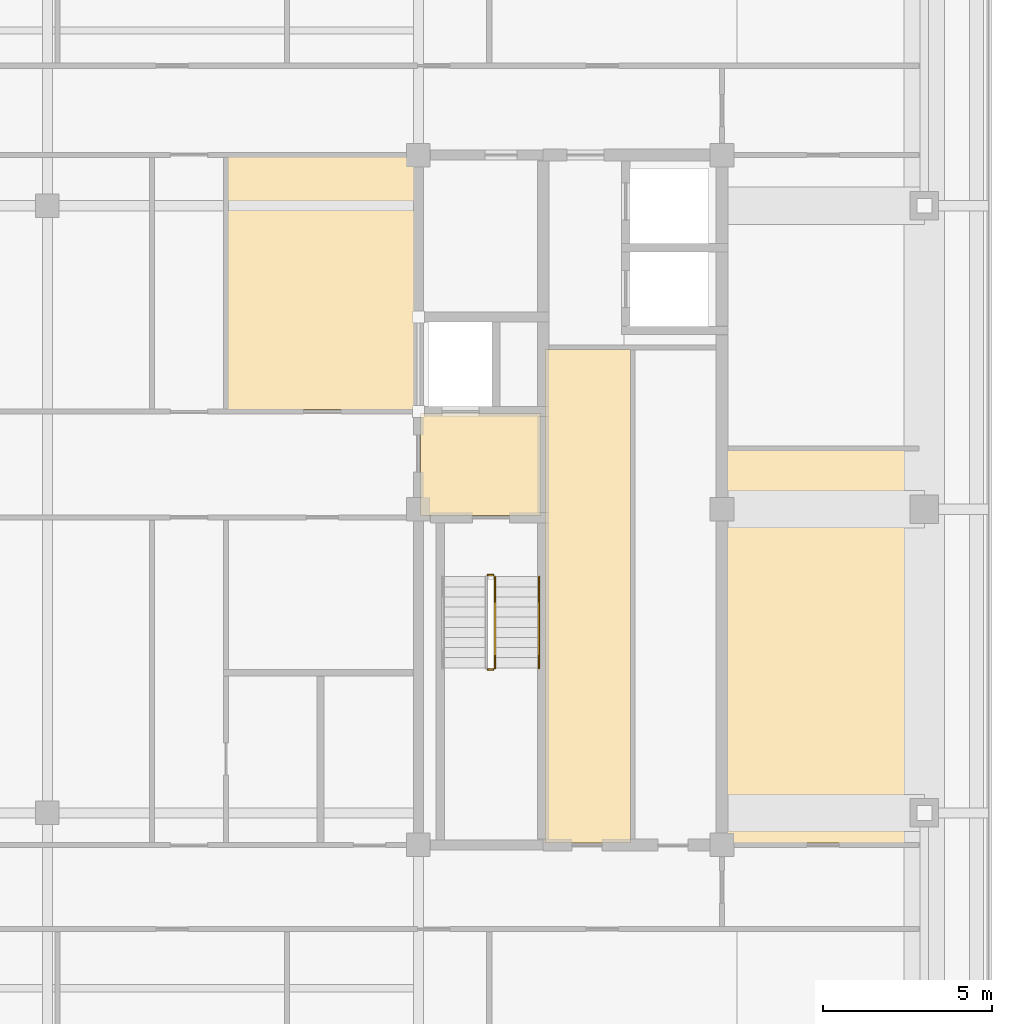
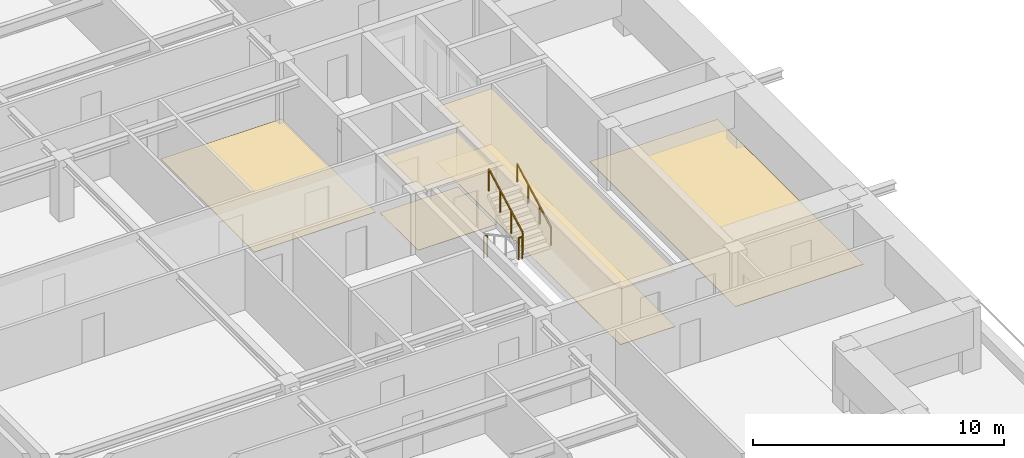
# One storey, part 13 of 14: 6 coverings, 4 railings.
"""IFC4 building model written with IfcOpenShell, lengths in metres."""

from ifc_helpers import new_model, si_unit, direction, frame, origin, origin_2d, place, context, subcontext, project, spatial, polyline, rectangle, outline, extrude, material, layer, layer_set, type_object, element, save


model = new_model("IFC4")

# Units and contexts
model_context = context("Model", 3, precision=1e-05, world=origin(), true_north=direction((0.0, 1.0)))
body_context = subcontext(model_context, "Body", "Model", "MODEL_VIEW")
ifc_project = project(units=[si_unit("LENGTHUNIT", "METRE"), si_unit("AREAUNIT", "SQUARE_METRE"), si_unit("VOLUMEUNIT", "CUBIC_METRE"), si_unit("PLANEANGLEUNIT", "RADIAN"), si_unit("MASSUNIT", "GRAM", prefix="KILO")], contexts=[model_context])

# Site, building, storey
site_placement = place(None, origin())
site = spatial("IfcSite", under=ifc_project, at=site_placement, CompositionType="ELEMENT")
building_placement = place(site_placement, origin())
building = spatial("IfcBuilding", under=site, at=building_placement, Name="Zulmaris Gate Convention Tower", CompositionType="ELEMENT")
storey_placement = place(building_placement, frame((0.0, 0.0, 226.820068359375)))
storey = spatial("IfcBuildingStorey", under=building, at=storey_placement, Name="L59", CompositionType="ELEMENT", Elevation=226.820068359375)

# Coverings
ifc_material_1 = material(Name="Mineral Fibre Acoustic Ceiling Tile")
ifc_layer_1 = layer(ifc_material_1, 0.02001953125, Name="Mineral Fibre Acoustic Ceiling Tile")
ifc_layer_set_1 = layer_set([ifc_layer_1], Name="Mineral Fibre Acoustic Ceiling Tile")
covering_type_1 = type_object("IfcCoveringType", Name="CLG-ACOUSTIC-600", PredefinedType="CEILING", material=ifc_layer_set_1)
covering_1_placement = place(storey_placement, frame((0.0, 0.0, 2.699951171875)))
element("IfcCovering", 1, at=covering_1_placement, inside=storey, type_object=covering_type_1, Name="CLG-L59-R08", PredefinedType="CEILING", context=body_context, shape_type="SweptSolid", body=[
    extrude(outline(polyline([(11.06005859375, -0.18994140625), (14.639892578125, -0.18994140625), (14.639892578125, 2.840087890625), (11.06005859375, 2.840087890625), (11.06005859375, -0.18994140625)])), origin(), (0.0, 0.0, 1.0), 0.02001953125),
])
covering_2_placement = place(storey_placement, frame((0.0, 0.0, 2.699951171875)))
element("IfcCovering", 2, at=covering_2_placement, inside=storey, type_object=covering_type_1, Name="CLG-L59-R24", PredefinedType="CEILING", context=body_context, shape_type="SweptSolid", body=[
    extrude(outline(polyline([(14.760009765625, -9.889892578125), (17.2900390625, -9.889892578125), (17.2900390625, 4.739990234375), (14.760009765625, 4.739990234375), (14.760009765625, -9.889892578125)])), origin(), (0.0, 0.0, 1.0), 0.02001953125),
])
ifc_material_2 = material(Name="Woven Acoustic Wool Carpet Tile")
ifc_layer_2 = layer(ifc_material_2, 0.02001953125, Name="Woven Acoustic Wool Carpet Tile")
ifc_layer_set_2 = layer_set([ifc_layer_2], Name="Woven Acoustic Wool Carpet Tile")
covering_type_2 = type_object("IfcCoveringType", Name="FLR-CARPET-12", PredefinedType="FLOORING", material=ifc_layer_set_2)
covering_3_placement = place(storey_placement, origin())
element("IfcCovering", 3, at=covering_3_placement, inside=storey, type_object=covering_type_2, Name="FLR-L59-R08", PredefinedType="FLOORING", context=body_context, shape_type="SweptSolid", body=[
    extrude(outline(polyline([(11.06005859375, -0.18994140625), (14.639892578125, -0.18994140625), (14.639892578125, 2.840087890625), (11.06005859375, 2.840087890625), (11.06005859375, -0.18994140625)])), origin(), (0.0, 0.0, 1.0), 0.02001953125),
])
covering_4_placement = place(storey_placement, origin())
element("IfcCovering", 4, at=covering_4_placement, inside=storey, type_object=covering_type_2, Name="FLR-L59-R24", PredefinedType="FLOORING", context=body_context, shape_type="SweptSolid", body=[
    extrude(outline(polyline([(14.760009765625, -9.889892578125), (17.2900390625, -9.889892578125), (17.2900390625, 4.739990234375), (14.760009765625, 4.739990234375), (14.760009765625, -9.889892578125)])), origin(), (0.0, 0.0, 1.0), 0.02001953125),
])
covering_5_placement = place(storey_placement, origin())
element("IfcCovering", 5, at=covering_5_placement, inside=storey, type_object=covering_type_2, Name="FLR-L59-R45", PredefinedType="FLOORING", context=body_context, shape_type="SweptSolid", body=[
    extrude(outline(polyline([(5.360107421875, 2.9599609375), (10.93994140625, 2.9599609375), (10.93994140625, 10.43994140625), (5.360107421875, 10.43994140625), (5.360107421875, 2.9599609375)])), origin(), (0.0, 0.0, 1.0), 0.02001953125),
])
covering_6_placement = place(storey_placement, origin())
element("IfcCovering", 6, at=covering_6_placement, inside=storey, type_object=covering_type_2, Name="FLR-L59-R53", PredefinedType="FLOORING", context=body_context, shape_type="SweptSolid", body=[
    extrude(outline(polyline([(20.06005859375, -9.889892578125), (25.93994140625, -9.889892578125), (25.93994140625, 1.739990234375), (20.06005859375, 1.739990234375), (20.06005859375, -9.889892578125)])), origin(), (0.0, 0.0, 1.0), 0.02001953125),
])

# Railings
ifc_material_3 = material(Name="Painted Galvanised Steel", Category="steel")
railing_type_1 = type_object("IfcRailingType", Name="RL-STG-1150", PredefinedType="GUARDRAIL", material=ifc_material_3)
railing_1_placement = place(storey_placement, frame((13.06005859375, -4.75, 1.614990234375)))
element("IfcRailing", 7, at=railing_1_placement, inside=storey, type_object=railing_type_1, Name="L59 ST-2 stair guard 2", PredefinedType="GUARDRAIL", context=body_context, shape_type="SweptSolid", body=[
    extrude(rectangle(XDim=0.048095703125, YDim=0.048095703125, at=origin_2d()), frame((0.0, 0.0, 1.076171875), z_axis=(1.0, 0.0, 0.0), x_axis=(0.0, 1.0, 0.0)), (0.0, 0.0, 1.0), 0.159912109375),
    extrude(rectangle(XDim=0.0419921875, YDim=0.0419921875, at=origin_2d()), origin(), (0.0, 0.0, 1.0), 1.052001953125),
    extrude(rectangle(XDim=0.0419921875, YDim=0.0419921875, at=origin_2d()), frame((0.159912109375, 0.0, 0.0)), (0.0, 0.0, 1.0), 1.052001953125),
])
railing_2_placement = place(storey_placement, frame((13.27001953125, -4.699951171875, 1.7763671875)))
element("IfcRailing", 8, at=railing_2_placement, inside=storey, type_object=railing_type_1, Name="L59 ST-2 stair guard 3", PredefinedType="GUARDRAIL", context=body_context, shape_type="SweptSolid", body=[
    extrude(rectangle(XDim=0.048095703125, YDim=0.048095703125, at=origin_2d()), frame((0.0, 0.0, 1.076171875), z_axis=(0.0, 0.880499220447, 0.474047595492), x_axis=(-1.0, 0.0, 0.0)), (0.0, 0.0, 1.0), 3.06640625),
    extrude(rectangle(XDim=0.0419921875, YDim=0.0419921875, at=origin_2d()), origin(), (0.0, 0.0, 1.0), 1.052001953125),
    extrude(rectangle(XDim=0.0419921875, YDim=0.0419921875, at=origin_2d()), frame((0.0, 0.89990234375, 0.484619140625)), (0.0, 0.0, 1.0), 1.052001953125),
    extrude(rectangle(XDim=0.0419921875, YDim=0.0419921875, at=origin_2d()), frame((0.0, 1.800048828125, 0.968994140625)), (0.0, 0.0, 1.0), 1.052001953125),
    extrude(rectangle(XDim=0.0419921875, YDim=0.0419921875, at=origin_2d()), frame((0.0, 2.699951171875, 1.45361328125)), (0.0, 0.0, 1.0), 1.052001953125),
])
railing_3_placement = place(storey_placement, frame((13.06005859375, -1.949951171875, 0.0)))
element("IfcRailing", 9, at=railing_3_placement, inside=storey, type_object=railing_type_1, Name="L59 ST-2 stair guard 4", PredefinedType="GUARDRAIL", context=body_context, shape_type="SweptSolid", body=[
    extrude(rectangle(XDim=0.048095703125, YDim=0.048095703125, at=origin_2d()), frame((0.0, 0.0, 1.076171875), z_axis=(1.0, 0.0, 0.0), x_axis=(0.0, 1.0, 0.0)), (0.0, 0.0, 1.0), 0.159912109375),
    extrude(rectangle(XDim=0.0419921875, YDim=0.0419921875, at=origin_2d()), origin(), (0.0, 0.0, 1.0), 1.052001953125),
    extrude(rectangle(XDim=0.0419921875, YDim=0.0419921875, at=origin_2d()), frame((0.159912109375, 0.0, 0.0)), (0.0, 0.0, 1.0), 1.052001953125),
])
ifc_material_4 = material(Name="Brushed Stainless Steel", Category="steel")
railing_type_2 = type_object("IfcRailingType", Name="RL-STH-900", PredefinedType="HANDRAIL", material=ifc_material_4)
railing_4_placement = place(storey_placement, frame((14.570068359375, -4.699951171875, 1.7763671875)))
element("IfcRailing", 10, at=railing_4_placement, inside=storey, type_object=railing_type_2, Name="L59 ST-2 stair handrail 2", PredefinedType="HANDRAIL", context=body_context, shape_type="SweptSolid", body=[
    extrude(rectangle(XDim=0.048095703125, YDim=0.048095703125, at=origin_2d()), frame((0.0, 0.0, 0.8759765625), z_axis=(0.0, 0.880499220447, 0.474047595492), x_axis=(-1.0, 0.0, 0.0)), (0.0, 0.0, 1.0), 3.06640625),
    extrude(rectangle(XDim=0.0419921875, YDim=0.0419921875, at=origin_2d()), origin(), (0.0, 0.0, 1.0), 0.851806640625),
    extrude(rectangle(XDim=0.0419921875, YDim=0.0419921875, at=origin_2d()), frame((0.0, 0.89990234375, 0.484619140625)), (0.0, 0.0, 1.0), 0.851806640625),
    extrude(rectangle(XDim=0.0419921875, YDim=0.0419921875, at=origin_2d()), frame((0.0, 1.800048828125, 0.968994140625)), (0.0, 0.0, 1.0), 0.851806640625),
    extrude(rectangle(XDim=0.0419921875, YDim=0.0419921875, at=origin_2d()), frame((0.0, 2.699951171875, 1.45361328125)), (0.0, 0.0, 1.0), 0.851806640625),
])

save(model, "model.ifc")
